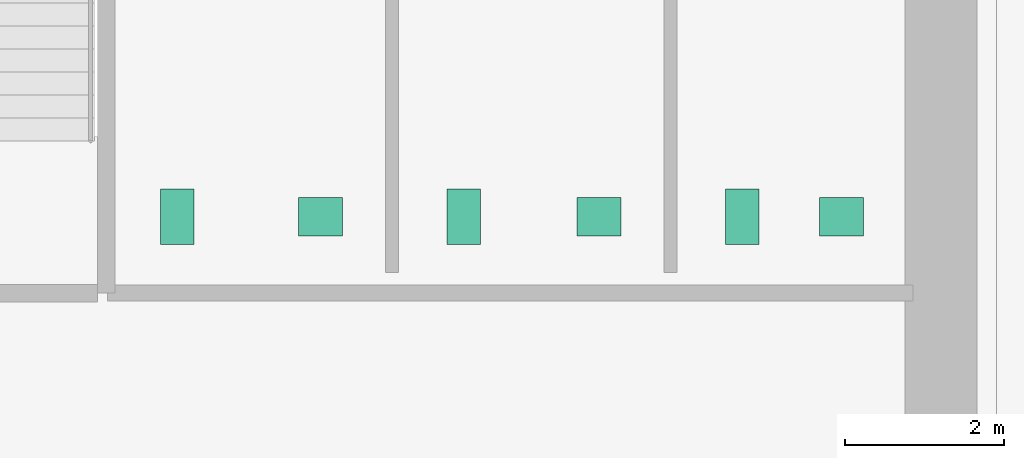
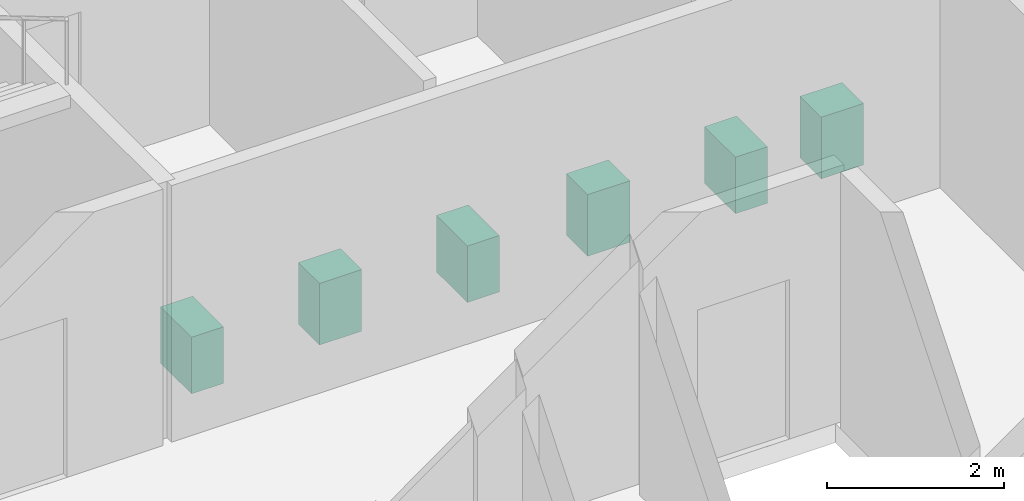
# One storey, part 16 of 16: 6 sanitary terminals.
"""IFC4 building model written with IfcOpenShell, lengths in metres."""

from ifc_helpers import new_model, si_unit, direction, frame, origin, origin_2d, place, context, subcontext, project, spatial, rectangle, extrude, material, type_object, element, save


model = new_model("IFC4")

# Units and contexts
model_context = context("Model", 3, precision=1e-05, world=origin(), true_north=direction((0.0, 1.0)))
body_context = subcontext(model_context, "Body", "Model", "MODEL_VIEW")
ifc_project = project(units=[si_unit("LENGTHUNIT", "METRE"), si_unit("AREAUNIT", "SQUARE_METRE"), si_unit("VOLUMEUNIT", "CUBIC_METRE"), si_unit("PLANEANGLEUNIT", "RADIAN"), si_unit("MASSUNIT", "GRAM", prefix="KILO")], contexts=[model_context])

# Site, building, storey
site_placement = place(None, origin())
site = spatial("IfcSite", under=ifc_project, at=site_placement, CompositionType="ELEMENT")
building_placement = place(site_placement, origin())
building = spatial("IfcBuilding", under=site, at=building_placement, Name="Norrvale University Quadrangle", CompositionType="ELEMENT")
storey_placement = place(building_placement, frame((0.0, 0.0, 58.39990234375)))
storey = spatial("IfcBuildingStorey", under=building, at=storey_placement, Name="L14", CompositionType="ELEMENT", Elevation=58.39990234375)

# Sanitary terminals
ifc_material = material(Name="Vitreous China Sanitaryware")
sanitary_terminal_type_1 = type_object("IfcSanitaryTerminalType", Name="Sanitary Wash Basin", PredefinedType="WASHHANDBASIN", material=ifc_material)
for number, where, z_axis, x_axis, name in (
    (1, (9.0, 41.10009765625, 0.0), (0.0, 0.0, 1.0), (1.0, 0.0, 0.0), "Accessible Countertop Washbasin L14-1"),
    (2, (12.5, 41.10009765625, 0.0), (0.0, 0.0, 1.0), (1.0, 0.0, 0.0), "Accessible Countertop Washbasin L14-2"),
    (3, (15.550048828125, 41.10009765625, 0.0), (0.0, 0.0, 1.0), (1.0, 0.0, 0.0), "Accessible Countertop Washbasin L14-3"),
):
    element("IfcSanitaryTerminal", number, at=place(storey_placement, frame(where, z_axis=z_axis, x_axis=x_axis)), inside=storey, type_object=sanitary_terminal_type_1, Name=name, PredefinedType="WASHHANDBASIN", context=body_context, shape_type="SweptSolid", body=[
        extrude(rectangle(XDim=0.550048828125, YDim=0.47998046875, at=origin_2d()), origin(), (0.0, 0.0, 1.0), 0.85009765625),
    ])
sanitary_terminal_type_2 = type_object("IfcSanitaryTerminalType", Name="Sanitary Water Closet", PredefinedType="TOILETPAN", material=ifc_material)
for number, where, z_axis, x_axis, name in (
    (4, (7.199951171875, 41.10009765625, 0.0), (0.0, 0.0, 1.0), (1.0, 0.0, 0.0), "Wall-Hung Water Closet L14-1"),
    (5, (10.800048828125, 41.10009765625, 0.0), (0.0, 0.0, 1.0), (1.0, 0.0, 0.0), "Wall-Hung Water Closet L14-2"),
    (6, (14.300048828125, 41.10009765625, 0.0), (0.0, 0.0, 1.0), (1.0, 0.0, 0.0), "Wall-Hung Water Closet L14-3"),
):
    element("IfcSanitaryTerminal", number, at=place(storey_placement, frame(where, z_axis=z_axis, x_axis=x_axis)), inside=storey, type_object=sanitary_terminal_type_2, Name=name, PredefinedType="TOILETPAN", context=body_context, shape_type="SweptSolid", body=[
        extrude(rectangle(XDim=0.419921875, YDim=0.699951171875, at=origin_2d()), origin(), (0.0, 0.0, 1.0), 0.780029296875),
    ])

save(model, "model.ifc")
